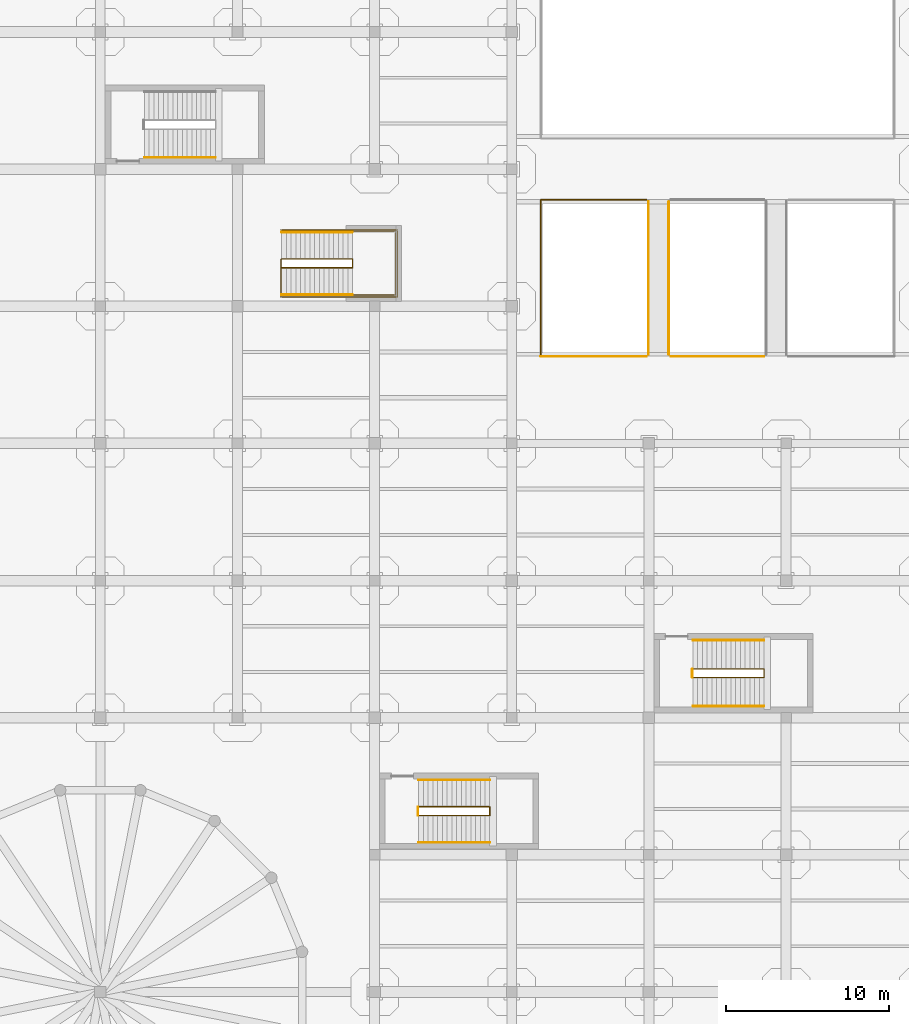
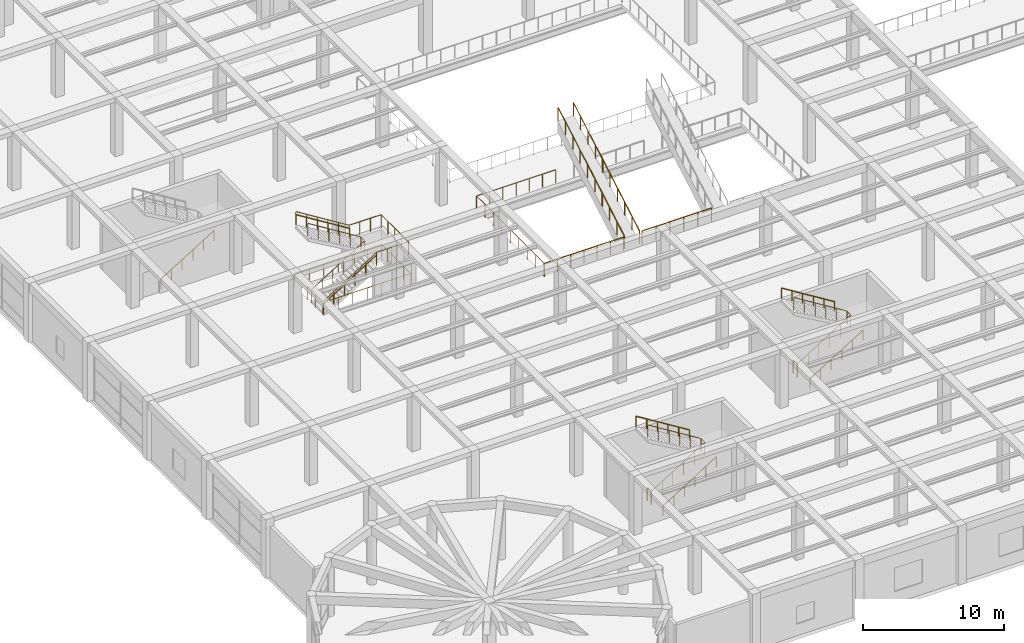
# One storey, part 85 of 95: 19 railings.
"""IFC4 building model written with IfcOpenShell, lengths in metres."""

import ifcopenshell
import ifcopenshell.guid

model = None  # the IFC model being written
_history = None  # IfcOwnerHistory: only IFC2X3 demands one
_inside = {}  # id of a spatial element -> (the spatial element, [elements in it])
_under = {}  # id of a project, library or spatial element -> (it, [spatial elements below it])
_declared = {}  # id of a project -> (the project, [libraries it declares])
_typed = {}  # id of a type object -> (the type object, [elements of that type])
_made_of = {}  # id of a material, layer set ... -> (it, [elements and type objects made of it])


def new_model(schema):
    """Start an empty IFC model of exactly this schema.

    Asked for "IFC4X3", IfcOpenShell would pick the latest addendum, in which some entities
    have other attributes; the version numbers below select the first issue.
    IFC2X3 requires an IfcOwnerHistory on every rooted entity: one is made here for all.
    """
    global model, _history
    if schema == "IFC4X3":
        model = ifcopenshell.file(schema_version=(4, 3, 0, 0))
    else:
        model = ifcopenshell.file(schema=schema)
    _inside.clear()
    _under.clear()
    _declared.clear()
    _typed.clear()
    _made_of.clear()
    _history = None
    if model.schema == "IFC2X3":
        org = make("IfcOrganization", Name="unknown")
        user = make(
            "IfcPersonAndOrganization",
            ThePerson=make("IfcPerson", FamilyName="unknown"),
            TheOrganization=org,
        )
        app = make(
            "IfcApplication",
            ApplicationDeveloper=org,
            Version="unknown",
            ApplicationFullName="unknown",
            ApplicationIdentifier="unknown",
        )
        _history = make(
            "IfcOwnerHistory",
            OwningUser=user,
            OwningApplication=app,
            ChangeAction="ADDED",
            CreationDate=0,
        )
    return model


def make(cls, **values):
    """One entity of the class cls with the attributes given. An attribute that is None is left unset."""
    return model.create_entity(
        cls, **{name: value for name, value in values.items() if value is not None}
    )


def rooted(cls, **values):
    """An entity with a GlobalId (a new one), such as an element, a storey or a relation."""
    return make(cls, GlobalId=ifcopenshell.guid.new(), OwnerHistory=_history, **values)


def si_unit(unit_type, name, prefix=None):
    """IfcSIUnit, for example si_unit("LENGTHUNIT", "METRE", prefix="MILLI")."""
    return make("IfcSIUnit", UnitType=unit_type, Prefix=prefix, Name=name)


def assignment(units):
    """IfcUnitAssignment: the units of a project."""
    return None if units is None else make("IfcUnitAssignment", Units=units)


def point(xyz):
    """IfcCartesianPoint."""
    return None if xyz is None else make("IfcCartesianPoint", Coordinates=xyz)


def direction(xyz):
    """IfcDirection."""
    return None if xyz is None else make("IfcDirection", DirectionRatios=xyz)


def frame(location, z_axis=None, x_axis=None):
    """IfcAxis2Placement3D, a coordinate frame: its origin and axes. An axis left out is left unset."""
    return make(
        "IfcAxis2Placement3D",
        Location=point(location),
        Axis=direction(z_axis),
        RefDirection=direction(x_axis),
    )


def frame_2d(location, x_axis=None):
    """IfcAxis2Placement2D, a coordinate frame in the plane: its origin and x axis."""
    return make(
        "IfcAxis2Placement2D", Location=point(location), RefDirection=direction(x_axis)
    )


def origin():
    """The frame at (0, 0, 0) with its axes left unset."""
    return frame((0.0, 0.0, 0.0))


def origin_2d():
    """The frame at (0, 0) in the plane with its x axis left unset."""
    return frame_2d((0.0, 0.0))


def place(relative_to, where):
    """IfcLocalPlacement: puts the frame where relative to a parent placement (None: the world)."""
    return make(
        "IfcLocalPlacement", PlacementRelTo=relative_to, RelativePlacement=where
    )


def context(
    kind, dimensions, precision=None, world=None, true_north=None, identifier=None
):
    """IfcGeometricRepresentationContext, for example the 3D "Model" context."""
    return make(
        "IfcGeometricRepresentationContext",
        ContextIdentifier=identifier,
        ContextType=kind,
        CoordinateSpaceDimension=dimensions,
        Precision=precision,
        WorldCoordinateSystem=world,
        TrueNorth=true_north,
    )


def subcontext(parent, identifier, kind, view, scale=None):
    """IfcGeometricRepresentationSubContext, for example "Body" below "Model"."""
    return make(
        "IfcGeometricRepresentationSubContext",
        ContextIdentifier=identifier,
        ContextType=kind,
        ParentContext=parent,
        TargetScale=scale,
        TargetView=view,
    )


def project(units=None, contexts=None):
    """IfcProject with its units and contexts."""
    return rooted(
        "IfcProject",
        Name="project",
        RepresentationContexts=contexts,
        UnitsInContext=assignment(units),
    )


def spatial(cls, under=None, at=None, **own):
    """A site, building, storey or space (cls), placed at a placement, below another one or the project."""
    s = rooted(cls, ObjectPlacement=at, **own)
    if under is not None:
        _under.setdefault(under.id(), (under, []))[1].append(s)
    return s


def profile(cls, at=None, kind="AREA", **sizes):
    """A parametric profile (cls). Its sizes go by their IFC names, for example OverallWidth=200.0."""
    return make(cls, ProfileType=kind, Position=at, **sizes)


def circle(**sizes):
    """IfcCircleProfileDef."""
    return profile("IfcCircleProfileDef", **sizes)


def extrude(swept, where, along, depth):
    """IfcExtrudedAreaSolid: the profile swept, set in the frame where, extruded along a direction by depth."""
    return make(
        "IfcExtrudedAreaSolid",
        SweptArea=swept,
        Position=where,
        ExtrudedDirection=direction(along),
        Depth=depth,
    )


def shape(context_of_items, identifier, shape_type, items):
    """IfcShapeRepresentation: the items that make up one representation, for example the "Body"."""
    return make(
        "IfcShapeRepresentation",
        ContextOfItems=context_of_items,
        RepresentationIdentifier=identifier,
        RepresentationType=shape_type,
        Items=items,
    )


def material(Name=None, Category=None):
    """IfcMaterial."""
    return make("IfcMaterial", Name=Name, Category=Category)


def made_of(thing, what):
    """Note that an element or type object is made of a material, layer set ...; save() writes the relation."""
    if what is not None:
        _made_of.setdefault(what.id(), (what, []))[1].append(thing)
    return thing


def type_object(cls, material=None, **own):
    """A type object (cls), such as IfcWallType, which elements share."""
    return made_of(rooted(cls, **own), material)


def element(
    cls,
    number,
    at=None,
    inside=None,
    cuts=None,
    type_object=None,
    material=None,
    context=None,
    identifier="Body",
    shape_type=None,
    held_by="IfcProductDefinitionShape",
    body=None,
    shapes=None,
    **own,
):
    """One element of the class cls, such as IfcWall. Its Tag is "e" and its number.

    at: its placement. inside: the storey or other place that contains it. cuts: it is an
    opening in that element (IfcRelVoidsElement). A single representation is given by context,
    identifier, shape_type and body (its items); several are given by shapes. held_by: the class
    of the entity that holds the representations. save() writes the other relations.
    """
    e = rooted(cls, Tag="e%d" % number, ObjectPlacement=at, **own)
    if body is not None:
        shapes = [shape(context, identifier, shape_type, body)]
    if shapes is not None:
        e.Representation = make(held_by, Representations=shapes)
    if inside is not None:
        _inside.setdefault(inside.id(), (inside, []))[1].append(e)
    if cuts is not None:
        rooted(
            "IfcRelVoidsElement", RelatingBuildingElement=cuts, RelatedOpeningElement=e
        )
    if type_object is not None:
        _typed.setdefault(type_object.id(), (type_object, []))[1].append(e)
    return made_of(e, material)


def aggregate(whole, parts):
    """IfcRelAggregates: a whole, such as a stair, and the parts it consists of."""
    return rooted("IfcRelAggregates", RelatingObject=whole, RelatedObjects=parts)


def save(model, path):
    """Write the relations noted so far, then the file.

    IfcRelAggregates (storeys below a building ...), IfcRelContainedInSpatialStructure (elements
    in a storey), IfcRelDefinesByType, IfcRelAssociatesMaterial and IfcRelDeclares: one each for
    every whole, place, type object, material and project.
    """
    for whole, parts in _under.values():
        aggregate(whole, parts)
    for where, things in _inside.values():
        rooted(
            "IfcRelContainedInSpatialStructure",
            RelatedElements=things,
            RelatingStructure=where,
        )
    for kind, things in _typed.values():
        rooted("IfcRelDefinesByType", RelatedObjects=things, RelatingType=kind)
    for what, things in _made_of.values():
        rooted("IfcRelAssociatesMaterial", RelatedObjects=things, RelatingMaterial=what)
    for by, libraries in _declared.values():
        rooted("IfcRelDeclares", RelatingContext=by, RelatedDefinitions=libraries)
    model.write(path)


model = new_model("IFC4")

# Units and contexts
model_context = context("Model", 3, precision=1e-05, world=origin(), true_north=direction((0.0, 1.0)))
body_context = subcontext(model_context, "Body", "Model", "MODEL_VIEW")
ifc_project = project(units=[si_unit("LENGTHUNIT", "METRE"), si_unit("AREAUNIT", "SQUARE_METRE"), si_unit("VOLUMEUNIT", "CUBIC_METRE"), si_unit("PLANEANGLEUNIT", "RADIAN"), si_unit("MASSUNIT", "GRAM", prefix="KILO")], contexts=[model_context])

# Site, building, storey
site_placement = place(None, origin())
site = spatial("IfcSite", under=ifc_project, at=site_placement, CompositionType="ELEMENT")
building_placement = place(site_placement, origin())
building = spatial("IfcBuilding", under=site, at=building_placement, Name="Almacenes y Pasaje Nevantli", CompositionType="ELEMENT")
storey_placement = place(building_placement, frame((0.0, 0.0, 11.39990234375)))
storey = spatial("IfcBuildingStorey", under=building, at=storey_placement, Name="L03", CompositionType="ELEMENT", Elevation=11.39990234375)

# Railings
ifc_material_1 = material(Name="Brushed Stainless Steel and Tempered Safety Glass", Category="steel")
railing_type_1 = type_object("IfcRailingType", Name="RL-GUARD-1100", PredefinedType="BALUSTRADE", material=ifc_material_1)
railing_1_placement = place(storey_placement, frame((27.89990234375, 19.2099609375, 0.0)))
element("IfcRailing", 1, at=railing_1_placement, inside=storey, type_object=railing_type_1, Name="L03 Stair ST-04 Inner Well Guard Balustrade", PredefinedType="BALUSTRADE", context=body_context, shape_type="SweptSolid", body=[
    extrude(circle(Radius=0.02392578125, at=origin_2d()), frame((0.025390625, 0.0, 1.1416015625), z_axis=(0.849628378081, 0.0, 0.527381853271), x_axis=(0.0, 1.0, 0.0)), (0.0, 0.0, 1.0), 5.06005859375),
    extrude(circle(Radius=0.02392578125, at=origin_2d()), frame((4.35009765625, 0.030029296875, 3.826171875), z_axis=(0.0, 1.0, 0.0), x_axis=(-1.0, 0.0, 0.0)), (0.0, 0.0, 1.0), 0.469970703125),
    extrude(circle(Radius=0.02392578125, at=origin_2d()), frame((4.32470703125, 0.530029296875, 3.841796875), z_axis=(-0.849649743971, 0.0, 0.527347430608), x_axis=(0.0, -1.0, 0.0)), (0.0, 0.0, 1.0), 5.059814453125),
    extrude(circle(Radius=0.02099609375, at=origin_2d()), origin(), (0.0, 0.0, 1.0), 1.096923828125),
    extrude(circle(Radius=0.02099609375, at=origin_2d()), frame((0.8701171875, 0.0, 0.5400390625)), (0.0, 0.0, 1.0), 1.096923828125),
    extrude(circle(Radius=0.02099609375, at=origin_2d()), frame((1.739990234375, 0.0, 1.080078125)), (0.0, 0.0, 1.0), 1.096923828125),
    extrude(circle(Radius=0.02099609375, at=origin_2d()), frame((2.610107421875, 0.0, 1.6201171875)), (0.0, 0.0, 1.0), 1.096923828125),
    extrude(circle(Radius=0.02099609375, at=origin_2d()), frame((3.47998046875, 0.0, 2.16015625)), (0.0, 0.0, 1.0), 1.096923828125),
    extrude(circle(Radius=0.02099609375, at=origin_2d()), frame((4.35009765625, 0.0, 2.7001953125)), (0.0, 0.0, 1.0), 1.096923828125),
    extrude(circle(Radius=0.02099609375, at=origin_2d()), frame((4.35009765625, 0.530029296875, 2.7001953125)), (0.0, 0.0, 1.0), 1.096923828125),
    extrude(circle(Radius=0.02099609375, at=origin_2d()), frame((3.47998046875, 0.530029296875, 3.240234375)), (0.0, 0.0, 1.0), 1.096923828125),
    extrude(circle(Radius=0.02099609375, at=origin_2d()), frame((2.610107421875, 0.530029296875, 3.7802734375)), (0.0, 0.0, 1.0), 1.096923828125),
    extrude(circle(Radius=0.02099609375, at=origin_2d()), frame((1.739990234375, 0.530029296875, 4.320068359375)), (0.0, 0.0, 1.0), 1.096923828125),
    extrude(circle(Radius=0.02099609375, at=origin_2d()), frame((0.8701171875, 0.530029296875, 4.860107421875)), (0.0, 0.0, 1.0), 1.096923828125),
    extrude(circle(Radius=0.02099609375, at=origin_2d()), frame((0.0, 0.530029296875, 5.400146484375)), (0.0, 0.0, 1.0), 1.096923828125),
])
railing_2_placement = place(storey_placement, frame((27.860107421875, 19.2099609375, 0.0)))
element("IfcRailing", 2, at=railing_2_placement, inside=storey, type_object=railing_type_1, Name="L03 Stair ST-04 Landing Well Slot Guard", PredefinedType="BALUSTRADE", context=body_context, shape_type="SweptSolid", body=[
    extrude(circle(Radius=0.02392578125, at=origin_2d()), frame((0.0, 0.030029296875, 1.1259765625), z_axis=(0.0, 1.0, 0.0), x_axis=(-1.0, 0.0, 0.0)), (0.0, 0.0, 1.0), 0.469970703125),
    extrude(circle(Radius=0.02099609375, at=origin_2d()), origin(), (0.0, 0.0, 1.0), 1.096923828125),
    extrude(circle(Radius=0.02099609375, at=origin_2d()), frame((0.0, 0.530029296875, 0.0)), (0.0, 0.0, 1.0), 1.096923828125),
])
railing_3_placement = place(storey_placement, frame((44.699951171875, 27.659912109375, 0.0)))
element("IfcRailing", 3, at=railing_3_placement, inside=storey, type_object=railing_type_1, Name="L03 Stair ST-14 Inner Well Guard Balustrade", PredefinedType="BALUSTRADE", context=body_context, shape_type="SweptSolid", body=[
    extrude(circle(Radius=0.02392578125, at=origin_2d()), frame((0.025390625, 0.0, 1.1416015625), z_axis=(0.849628378081, 0.0, 0.527381853271), x_axis=(0.0, 1.0, 0.0)), (0.0, 0.0, 1.0), 5.06005859375),
    extrude(circle(Radius=0.02392578125, at=origin_2d()), frame((4.35009765625, 0.030029296875, 3.826171875), z_axis=(0.0, 1.0, 0.0), x_axis=(-1.0, 0.0, 0.0)), (0.0, 0.0, 1.0), 0.469970703125),
    extrude(circle(Radius=0.02392578125, at=origin_2d()), frame((4.32470703125, 0.530029296875, 3.841796875), z_axis=(-0.849649743971, 0.0, 0.527347430608), x_axis=(0.0, -1.0, 0.0)), (0.0, 0.0, 1.0), 5.059814453125),
    extrude(circle(Radius=0.02099609375, at=origin_2d()), origin(), (0.0, 0.0, 1.0), 1.096923828125),
    extrude(circle(Radius=0.02099609375, at=origin_2d()), frame((0.8701171875, 0.0, 0.5400390625)), (0.0, 0.0, 1.0), 1.096923828125),
    extrude(circle(Radius=0.02099609375, at=origin_2d()), frame((1.739990234375, 0.0, 1.080078125)), (0.0, 0.0, 1.0), 1.096923828125),
    extrude(circle(Radius=0.02099609375, at=origin_2d()), frame((2.610107421875, 0.0, 1.6201171875)), (0.0, 0.0, 1.0), 1.096923828125),
    extrude(circle(Radius=0.02099609375, at=origin_2d()), frame((3.47998046875, 0.0, 2.16015625)), (0.0, 0.0, 1.0), 1.096923828125),
    extrude(circle(Radius=0.02099609375, at=origin_2d()), frame((4.35009765625, 0.0, 2.7001953125)), (0.0, 0.0, 1.0), 1.096923828125),
    extrude(circle(Radius=0.02099609375, at=origin_2d()), frame((4.35009765625, 0.530029296875, 2.7001953125)), (0.0, 0.0, 1.0), 1.096923828125),
    extrude(circle(Radius=0.02099609375, at=origin_2d()), frame((3.47998046875, 0.530029296875, 3.240234375)), (0.0, 0.0, 1.0), 1.096923828125),
    extrude(circle(Radius=0.02099609375, at=origin_2d()), frame((2.610107421875, 0.530029296875, 3.7802734375)), (0.0, 0.0, 1.0), 1.096923828125),
    extrude(circle(Radius=0.02099609375, at=origin_2d()), frame((1.739990234375, 0.530029296875, 4.320068359375)), (0.0, 0.0, 1.0), 1.096923828125),
    extrude(circle(Radius=0.02099609375, at=origin_2d()), frame((0.8701171875, 0.530029296875, 4.860107421875)), (0.0, 0.0, 1.0), 1.096923828125),
    extrude(circle(Radius=0.02099609375, at=origin_2d()), frame((0.0, 0.530029296875, 5.400146484375)), (0.0, 0.0, 1.0), 1.096923828125),
])
railing_4_placement = place(storey_placement, frame((44.659912109375, 27.659912109375, 0.0)))
element("IfcRailing", 4, at=railing_4_placement, inside=storey, type_object=railing_type_1, Name="L03 Stair ST-14 Landing Well Slot Guard", PredefinedType="BALUSTRADE", context=body_context, shape_type="SweptSolid", body=[
    extrude(circle(Radius=0.02392578125, at=origin_2d()), frame((0.0, 0.030029296875, 1.1259765625), z_axis=(0.0, 1.0, 0.0), x_axis=(-1.0, 0.0, 0.0)), (0.0, 0.0, 1.0), 0.469970703125),
    extrude(circle(Radius=0.02099609375, at=origin_2d()), origin(), (0.0, 0.0, 1.0), 1.096923828125),
    extrude(circle(Radius=0.02099609375, at=origin_2d()), frame((0.0, 0.530029296875, 0.0)), (0.0, 0.0, 1.0), 1.096923828125),
])
railing_5_placement = place(storey_placement, frame((19.4599609375, 53.2900390625, 0.0)))
element("IfcRailing", 5, at=railing_5_placement, inside=storey, type_object=railing_type_1, Name="L03 Monumental Stair ST-10 Top Floor Opening Guard", PredefinedType="BALUSTRADE", context=body_context, shape_type="SweptSolid", body=[
    extrude(circle(Radius=0.02392578125, at=origin_2d()), frame((0.0, -0.030029296875, 1.1259765625), z_axis=(0.0, -1.0, 0.0), x_axis=(1.0, 0.0, 0.0)), (0.0, 0.0, 1.0), 2.260009765625),
    extrude(circle(Radius=0.02392578125, at=origin_2d()), frame((0.030029296875, -2.320068359375, 1.1259765625), z_axis=(1.0, 0.0, 0.0), x_axis=(0.0, 1.0, 0.0)), (0.0, 0.0, 1.0), 7.06005859375),
    extrude(circle(Radius=0.02392578125, at=origin_2d()), frame((7.1201171875, -2.2900390625, 1.1259765625), z_axis=(0.0, 1.0, 0.0), x_axis=(-1.0, 0.0, 0.0)), (0.0, 0.0, 1.0), 4.050048828125),
    extrude(circle(Radius=0.02392578125, at=origin_2d()), frame((7.090087890625, 1.7900390625, 1.1259765625), z_axis=(-1.0, 0.0, 0.0), x_axis=(0.0, -1.0, 0.0)), (0.0, 0.0, 1.0), 7.06005859375),
    extrude(circle(Radius=0.02099609375, at=origin_2d()), origin(), (0.0, 0.0, 1.0), 1.096923828125),
    extrude(circle(Radius=0.02099609375, at=origin_2d()), frame((0.0, -1.16015625, 0.0)), (0.0, 0.0, 1.0), 1.096923828125),
    extrude(circle(Radius=0.02099609375, at=origin_2d()), frame((0.0, -2.320068359375, 0.0)), (0.0, 0.0, 1.0), 1.096923828125),
    extrude(circle(Radius=0.02099609375, at=origin_2d()), frame((1.186767578125, -2.320068359375, 0.0)), (0.0, 0.0, 1.0), 1.096923828125),
    extrude(circle(Radius=0.02099609375, at=origin_2d()), frame((2.373291015625, -2.320068359375, 0.0)), (0.0, 0.0, 1.0), 1.096923828125),
    extrude(circle(Radius=0.02099609375, at=origin_2d()), frame((3.56005859375, -2.320068359375, 0.0)), (0.0, 0.0, 1.0), 1.096923828125),
    extrude(circle(Radius=0.02099609375, at=origin_2d()), frame((4.746826171875, -2.320068359375, 0.0)), (0.0, 0.0, 1.0), 1.096923828125),
    extrude(circle(Radius=0.02099609375, at=origin_2d()), frame((5.933349609375, -2.320068359375, 0.0)), (0.0, 0.0, 1.0), 1.096923828125),
    extrude(circle(Radius=0.02099609375, at=origin_2d()), frame((7.1201171875, -2.320068359375, 0.0)), (0.0, 0.0, 1.0), 1.096923828125),
    extrude(circle(Radius=0.02099609375, at=origin_2d()), frame((7.1201171875, -1.29248046875, 0.0)), (0.0, 0.0, 1.0), 1.096923828125),
    extrude(circle(Radius=0.02099609375, at=origin_2d()), frame((7.1201171875, -0.26513671875, 0.0)), (0.0, 0.0, 1.0), 1.096923828125),
    extrude(circle(Radius=0.02099609375, at=origin_2d()), frame((7.1201171875, 0.762451171875, 0.0)), (0.0, 0.0, 1.0), 1.096923828125),
    extrude(circle(Radius=0.02099609375, at=origin_2d()), frame((7.1201171875, 1.7900390625, 0.0)), (0.0, 0.0, 1.0), 1.096923828125),
    extrude(circle(Radius=0.02099609375, at=origin_2d()), frame((5.933349609375, 1.7900390625, 0.0)), (0.0, 0.0, 1.0), 1.096923828125),
    extrude(circle(Radius=0.02099609375, at=origin_2d()), frame((4.746826171875, 1.7900390625, 0.0)), (0.0, 0.0, 1.0), 1.096923828125),
    extrude(circle(Radius=0.02099609375, at=origin_2d()), frame((3.56005859375, 1.7900390625, 0.0)), (0.0, 0.0, 1.0), 1.096923828125),
    extrude(circle(Radius=0.02099609375, at=origin_2d()), frame((2.373291015625, 1.7900390625, 0.0)), (0.0, 0.0, 1.0), 1.096923828125),
    extrude(circle(Radius=0.02099609375, at=origin_2d()), frame((1.186767578125, 1.7900390625, 0.0)), (0.0, 0.0, 1.0), 1.096923828125),
    extrude(circle(Radius=0.02099609375, at=origin_2d()), frame((0.0, 1.7900390625, 0.0)), (0.0, 0.0, 1.0), 1.096923828125),
])
railing_6_placement = place(storey_placement, frame((19.5, 52.760009765625, 0.0)))
element("IfcRailing", 6, at=railing_6_placement, inside=storey, type_object=railing_type_1, Name="L03 Stair ST-11 Inner Well Guard Balustrade", PredefinedType="BALUSTRADE", context=body_context, shape_type="SweptSolid", body=[
    extrude(circle(Radius=0.02392578125, at=origin_2d()), frame((0.025390625, 0.0, 1.1416015625), z_axis=(0.849628378081, 0.0, 0.527381853271), x_axis=(0.0, 1.0, 0.0)), (0.0, 0.0, 1.0), 5.06005859375),
    extrude(circle(Radius=0.02392578125, at=origin_2d()), frame((4.35009765625, 0.030029296875, 3.826171875), z_axis=(0.0, 1.0, 0.0), x_axis=(-1.0, 0.0, 0.0)), (0.0, 0.0, 1.0), 0.469970703125),
    extrude(circle(Radius=0.02392578125, at=origin_2d()), frame((4.32470703125, 0.530029296875, 3.841796875), z_axis=(-0.849649743971, 0.0, 0.527347430608), x_axis=(0.0, -1.0, 0.0)), (0.0, 0.0, 1.0), 5.059814453125),
    extrude(circle(Radius=0.02099609375, at=origin_2d()), origin(), (0.0, 0.0, 1.0), 1.096923828125),
    extrude(circle(Radius=0.02099609375, at=origin_2d()), frame((0.8701171875, 0.0, 0.5400390625)), (0.0, 0.0, 1.0), 1.096923828125),
    extrude(circle(Radius=0.02099609375, at=origin_2d()), frame((1.739990234375, 0.0, 1.080078125)), (0.0, 0.0, 1.0), 1.096923828125),
    extrude(circle(Radius=0.02099609375, at=origin_2d()), frame((2.610107421875, 0.0, 1.6201171875)), (0.0, 0.0, 1.0), 1.096923828125),
    extrude(circle(Radius=0.02099609375, at=origin_2d()), frame((3.47998046875, 0.0, 2.16015625)), (0.0, 0.0, 1.0), 1.096923828125),
    extrude(circle(Radius=0.02099609375, at=origin_2d()), frame((4.35009765625, 0.0, 2.7001953125)), (0.0, 0.0, 1.0), 1.096923828125),
    extrude(circle(Radius=0.02099609375, at=origin_2d()), frame((4.35009765625, 0.530029296875, 2.7001953125)), (0.0, 0.0, 1.0), 1.096923828125),
    extrude(circle(Radius=0.02099609375, at=origin_2d()), frame((3.47998046875, 0.530029296875, 3.240234375)), (0.0, 0.0, 1.0), 1.096923828125),
    extrude(circle(Radius=0.02099609375, at=origin_2d()), frame((2.610107421875, 0.530029296875, 3.7802734375)), (0.0, 0.0, 1.0), 1.096923828125),
    extrude(circle(Radius=0.02099609375, at=origin_2d()), frame((1.739990234375, 0.530029296875, 4.320068359375)), (0.0, 0.0, 1.0), 1.096923828125),
    extrude(circle(Radius=0.02099609375, at=origin_2d()), frame((0.8701171875, 0.530029296875, 4.860107421875)), (0.0, 0.0, 1.0), 1.096923828125),
    extrude(circle(Radius=0.02099609375, at=origin_2d()), frame((0.0, 0.530029296875, 5.400146484375)), (0.0, 0.0, 1.0), 1.096923828125),
])
railing_7_placement = place(storey_placement, frame((19.5, 51.090087890625, 0.0)))
element("IfcRailing", 7, at=railing_7_placement, inside=storey, type_object=railing_type_1, Name="L03 Monumental Stair ST-11 Outer Balustrade", PredefinedType="BALUSTRADE", context=body_context, shape_type="SweptSolid", body=[
    extrude(circle(Radius=0.02392578125, at=origin_2d()), frame((0.025390625, 0.0, 1.1416015625), z_axis=(0.849628378081, 0.0, 0.527381853271), x_axis=(0.0, 1.0, 0.0)), (0.0, 0.0, 1.0), 5.06005859375),
    extrude(circle(Radius=0.02392578125, at=origin_2d()), frame((4.380126953125, 0.0, 3.826171875), z_axis=(1.0, 0.0, 0.0), x_axis=(0.0, 1.0, 0.0)), (0.0, 0.0, 1.0), 2.5498046875),
    extrude(circle(Radius=0.02392578125, at=origin_2d()), frame((6.9599609375, 0.030029296875, 3.826171875), z_axis=(0.0, 1.0, 0.0), x_axis=(-1.0, 0.0, 0.0)), (0.0, 0.0, 1.0), 3.809814453125),
    extrude(circle(Radius=0.02392578125, at=origin_2d()), frame((6.929931640625, 3.869873046875, 3.826171875), z_axis=(-1.0, 0.0, 0.0), x_axis=(0.0, -1.0, 0.0)), (0.0, 0.0, 1.0), 2.5498046875),
    extrude(circle(Radius=0.02392578125, at=origin_2d()), frame((4.32470703125, 3.869873046875, 3.841796875), z_axis=(-0.849649743971, 0.0, 0.527347430608), x_axis=(0.0, -1.0, 0.0)), (0.0, 0.0, 1.0), 5.059814453125),
    extrude(circle(Radius=0.02099609375, at=origin_2d()), origin(), (0.0, 0.0, 1.0), 1.096923828125),
    extrude(circle(Radius=0.02099609375, at=origin_2d()), frame((0.8701171875, 0.0, 0.5400390625)), (0.0, 0.0, 1.0), 1.096923828125),
    extrude(circle(Radius=0.02099609375, at=origin_2d()), frame((1.739990234375, 0.0, 1.080078125)), (0.0, 0.0, 1.0), 1.096923828125),
    extrude(circle(Radius=0.02099609375, at=origin_2d()), frame((2.610107421875, 0.0, 1.6201171875)), (0.0, 0.0, 1.0), 1.096923828125),
    extrude(circle(Radius=0.02099609375, at=origin_2d()), frame((3.47998046875, 0.0, 2.16015625)), (0.0, 0.0, 1.0), 1.096923828125),
    extrude(circle(Radius=0.02099609375, at=origin_2d()), frame((4.35009765625, 0.0, 2.7001953125)), (0.0, 0.0, 1.0), 1.096923828125),
    extrude(circle(Radius=0.02099609375, at=origin_2d()), frame((5.219970703125, 0.0, 2.7001953125)), (0.0, 0.0, 1.0), 1.096923828125),
    extrude(circle(Radius=0.02099609375, at=origin_2d()), frame((6.090087890625, 0.0, 2.7001953125)), (0.0, 0.0, 1.0), 1.096923828125),
    extrude(circle(Radius=0.02099609375, at=origin_2d()), frame((6.9599609375, 0.0, 2.7001953125)), (0.0, 0.0, 1.0), 1.096923828125),
    extrude(circle(Radius=0.02099609375, at=origin_2d()), frame((6.9599609375, 0.967529296875, 2.7001953125)), (0.0, 0.0, 1.0), 1.096923828125),
    extrude(circle(Radius=0.02099609375, at=origin_2d()), frame((6.9599609375, 1.93505859375, 2.7001953125)), (0.0, 0.0, 1.0), 1.096923828125),
    extrude(circle(Radius=0.02099609375, at=origin_2d()), frame((6.9599609375, 2.90234375, 2.7001953125)), (0.0, 0.0, 1.0), 1.096923828125),
    extrude(circle(Radius=0.02099609375, at=origin_2d()), frame((6.9599609375, 3.869873046875, 2.7001953125)), (0.0, 0.0, 1.0), 1.096923828125),
    extrude(circle(Radius=0.02099609375, at=origin_2d()), frame((6.090087890625, 3.869873046875, 2.7001953125)), (0.0, 0.0, 1.0), 1.096923828125),
    extrude(circle(Radius=0.02099609375, at=origin_2d()), frame((5.219970703125, 3.869873046875, 2.7001953125)), (0.0, 0.0, 1.0), 1.096923828125),
    extrude(circle(Radius=0.02099609375, at=origin_2d()), frame((4.35009765625, 3.869873046875, 2.7001953125)), (0.0, 0.0, 1.0), 1.096923828125),
    extrude(circle(Radius=0.02099609375, at=origin_2d()), frame((3.47998046875, 3.869873046875, 3.240234375)), (0.0, 0.0, 1.0), 1.096923828125),
    extrude(circle(Radius=0.02099609375, at=origin_2d()), frame((2.610107421875, 3.869873046875, 3.7802734375)), (0.0, 0.0, 1.0), 1.096923828125),
    extrude(circle(Radius=0.02099609375, at=origin_2d()), frame((1.739990234375, 3.869873046875, 4.320068359375)), (0.0, 0.0, 1.0), 1.096923828125),
    extrude(circle(Radius=0.02099609375, at=origin_2d()), frame((0.8701171875, 3.869873046875, 4.860107421875)), (0.0, 0.0, 1.0), 1.096923828125),
    extrude(circle(Radius=0.02099609375, at=origin_2d()), frame((0.0, 3.869873046875, 5.400146484375)), (0.0, 0.0, 1.0), 1.096923828125),
])
for number, where, name in (
    (8, (41.97998046875, 47.449951171875, 0.0), "Atrium Escalator ESC-05 W Balustrade"),
    (9, (43.219970703125, 47.449951171875, 0.0), "Atrium Escalator ESC-05 E Balustrade"),
):
    element("IfcRailing", number, at=place(storey_placement, frame(where)), inside=storey, type_object=railing_type_1, Name=name, PredefinedType="BALUSTRADE", context=body_context, shape_type="SweptSolid", body=[
        extrude(circle(Radius=0.02392578125, at=origin_2d()), frame((0.0, 0.02587890625, 1.140869140625), z_axis=(0.0, 0.865950598439, 0.500129544281), x_axis=(-1.0, 0.0, 0.0)), (0.0, 0.0, 1.0), 10.737548828125),
        extrude(circle(Radius=0.02099609375, at=origin_2d()), origin(), (0.0, 0.0, 1.0), 1.096923828125),
        extrude(circle(Radius=0.02099609375, at=origin_2d()), frame((0.0, 1.038818359375, 0.60009765625)), (0.0, 0.0, 1.0), 1.096923828125),
        extrude(circle(Radius=0.02099609375, at=origin_2d()), frame((0.0, 2.077880859375, 1.199951171875)), (0.0, 0.0, 1.0), 1.096923828125),
        extrude(circle(Radius=0.02099609375, at=origin_2d()), frame((0.0, 3.11669921875, 1.800048828125)), (0.0, 0.0, 1.0), 1.096923828125),
        extrude(circle(Radius=0.02099609375, at=origin_2d()), frame((0.0, 4.155517578125, 2.400146484375)), (0.0, 0.0, 1.0), 1.096923828125),
        extrude(circle(Radius=0.02099609375, at=origin_2d()), frame((0.0, 5.194580078125, 3.0)), (0.0, 0.0, 1.0), 1.096923828125),
        extrude(circle(Radius=0.02099609375, at=origin_2d()), frame((0.0, 6.2333984375, 3.60009765625)), (0.0, 0.0, 1.0), 1.096923828125),
        extrude(circle(Radius=0.02099609375, at=origin_2d()), frame((0.0, 7.272216796875, 4.2001953125)), (0.0, 0.0, 1.0), 1.096923828125),
        extrude(circle(Radius=0.02099609375, at=origin_2d()), frame((0.0, 8.311279296875, 4.800048828125)), (0.0, 0.0, 1.0), 1.096923828125),
        extrude(circle(Radius=0.02099609375, at=origin_2d()), frame((0.0, 9.35009765625, 5.400146484375)), (0.0, 0.0, 1.0), 1.096923828125),
    ])
railing_8_placement = place(storey_placement, frame((41.85009765625, 56.919921875, 0.0)))
element("IfcRailing", 10, at=railing_8_placement, inside=storey, type_object=railing_type_1, Name="L03 South Atrium Void West Guard Balustrade", PredefinedType="BALUSTRADE", context=body_context, shape_type="SweptSolid", body=[
    extrude(circle(Radius=0.02392578125, at=origin_2d()), frame((-0.030029296875, 0.0, 1.1259765625), z_axis=(-1.0, 0.0, 0.0), x_axis=(0.0, -1.0, 0.0)), (0.0, 0.0, 1.0), 6.41015625),
    extrude(circle(Radius=0.02392578125, at=origin_2d()), frame((-6.47021484375, -0.030029296875, 1.1259765625), z_axis=(0.0, -1.0, 0.0), x_axis=(1.0, 0.0, 0.0)), (0.0, 0.0, 1.0), 9.52978515625),
    extrude(circle(Radius=0.02099609375, at=origin_2d()), origin(), (0.0, 0.0, 1.0), 1.096923828125),
    extrude(circle(Radius=0.02099609375, at=origin_2d()), frame((-1.078369140625, 0.0, 0.0)), (0.0, 0.0, 1.0), 1.096923828125),
    extrude(circle(Radius=0.02099609375, at=origin_2d()), frame((-2.15673828125, 0.0, 0.0)), (0.0, 0.0, 1.0), 1.096923828125),
    extrude(circle(Radius=0.02099609375, at=origin_2d()), frame((-3.235107421875, 0.0, 0.0)), (0.0, 0.0, 1.0), 1.096923828125),
    extrude(circle(Radius=0.02099609375, at=origin_2d()), frame((-4.3134765625, 0.0, 0.0)), (0.0, 0.0, 1.0), 1.096923828125),
    extrude(circle(Radius=0.02099609375, at=origin_2d()), frame((-5.391845703125, 0.0, 0.0)), (0.0, 0.0, 1.0), 1.096923828125),
    extrude(circle(Radius=0.02099609375, at=origin_2d()), frame((-6.47021484375, 0.0, 0.0)), (0.0, 0.0, 1.0), 1.096923828125),
    extrude(circle(Radius=0.02099609375, at=origin_2d()), frame((-6.47021484375, -1.19873046875, 0.0)), (0.0, 0.0, 1.0), 1.096923828125),
    extrude(circle(Radius=0.02099609375, at=origin_2d()), frame((-6.47021484375, -2.3974609375, 0.0)), (0.0, 0.0, 1.0), 1.096923828125),
    extrude(circle(Radius=0.02099609375, at=origin_2d()), frame((-6.47021484375, -3.59619140625, 0.0)), (0.0, 0.0, 1.0), 1.096923828125),
    extrude(circle(Radius=0.02099609375, at=origin_2d()), frame((-6.47021484375, -4.794921875, 0.0)), (0.0, 0.0, 1.0), 1.096923828125),
    extrude(circle(Radius=0.02099609375, at=origin_2d()), frame((-6.47021484375, -5.99365234375, 0.0)), (0.0, 0.0, 1.0), 1.096923828125),
    extrude(circle(Radius=0.02099609375, at=origin_2d()), frame((-6.47021484375, -7.1923828125, 0.0)), (0.0, 0.0, 1.0), 1.096923828125),
    extrude(circle(Radius=0.02099609375, at=origin_2d()), frame((-6.47021484375, -8.39111328125, 0.0)), (0.0, 0.0, 1.0), 1.096923828125),
    extrude(circle(Radius=0.02099609375, at=origin_2d()), frame((-6.47021484375, -9.58984375, 0.0)), (0.0, 0.0, 1.0), 1.096923828125),
])
railing_9_placement = place(storey_placement, frame((35.3798828125, 47.330078125, 0.0)))
element("IfcRailing", 11, at=railing_9_placement, inside=storey, type_object=railing_type_1, Name="L03 South Atrium South-West Guard", PredefinedType="BALUSTRADE", context=body_context, shape_type="SweptSolid", body=[
    extrude(circle(Radius=0.02392578125, at=origin_2d()), frame((0.030029296875, 0.0, 1.1259765625), z_axis=(1.0, 0.0, 0.0), x_axis=(0.0, 1.0, 0.0)), (0.0, 0.0, 1.0), 6.41015625),
    extrude(circle(Radius=0.02099609375, at=origin_2d()), origin(), (0.0, 0.0, 1.0), 1.096923828125),
    extrude(circle(Radius=0.02099609375, at=origin_2d()), frame((1.078369140625, 0.0, 0.0)), (0.0, 0.0, 1.0), 1.096923828125),
    extrude(circle(Radius=0.02099609375, at=origin_2d()), frame((2.15673828125, 0.0, 0.0)), (0.0, 0.0, 1.0), 1.096923828125),
    extrude(circle(Radius=0.02099609375, at=origin_2d()), frame((3.235107421875, 0.0, 0.0)), (0.0, 0.0, 1.0), 1.096923828125),
    extrude(circle(Radius=0.02099609375, at=origin_2d()), frame((4.3134765625, 0.0, 0.0)), (0.0, 0.0, 1.0), 1.096923828125),
    extrude(circle(Radius=0.02099609375, at=origin_2d()), frame((5.391845703125, 0.0, 0.0)), (0.0, 0.0, 1.0), 1.096923828125),
    extrude(circle(Radius=0.02099609375, at=origin_2d()), frame((6.47021484375, 0.0, 0.0)), (0.0, 0.0, 1.0), 1.096923828125),
])
railing_10_placement = place(storey_placement, frame((43.35009765625, 47.330078125, 0.0)))
element("IfcRailing", 12, at=railing_10_placement, inside=storey, type_object=railing_type_1, Name="L03 South Atrium South-Mid Guard", PredefinedType="BALUSTRADE", context=body_context, shape_type="SweptSolid", body=[
    extrude(circle(Radius=0.02392578125, at=origin_2d()), frame((0.030029296875, 0.0, 1.1259765625), z_axis=(1.0, 0.0, 0.0), x_axis=(0.0, 1.0, 0.0)), (0.0, 0.0, 1.0), 5.639892578125),
    extrude(circle(Radius=0.02099609375, at=origin_2d()), origin(), (0.0, 0.0, 1.0), 1.096923828125),
    extrude(circle(Radius=0.02099609375, at=origin_2d()), frame((1.139892578125, 0.0, 0.0)), (0.0, 0.0, 1.0), 1.096923828125),
    extrude(circle(Radius=0.02099609375, at=origin_2d()), frame((2.280029296875, 0.0, 0.0)), (0.0, 0.0, 1.0), 1.096923828125),
    extrude(circle(Radius=0.02099609375, at=origin_2d()), frame((3.419921875, 0.0, 0.0)), (0.0, 0.0, 1.0), 1.096923828125),
    extrude(circle(Radius=0.02099609375, at=origin_2d()), frame((4.56005859375, 0.0, 0.0)), (0.0, 0.0, 1.0), 1.096923828125),
    extrude(circle(Radius=0.02099609375, at=origin_2d()), frame((5.699951171875, 0.0, 0.0)), (0.0, 0.0, 1.0), 1.096923828125),
])
ifc_material_2 = material(Name="Brushed Stainless Steel Tube", Category="steel")
railing_type_2 = type_object("IfcRailingType", Name="RL-HANDRAIL-900", PredefinedType="HANDRAIL", material=ifc_material_2)
railing_11_placement = place(storey_placement, frame((27.89990234375, 17.56005859375, 0.0)))
element("IfcRailing", 13, at=railing_11_placement, inside=storey, type_object=railing_type_2, Name="L03 Stair ST-04 Lower Flight Handrail", PredefinedType="HANDRAIL", context=body_context, shape_type="SweptSolid", body=[
    extrude(circle(Radius=0.02392578125, at=origin_2d()), frame((0.025390625, 0.0, 0.8916015625), z_axis=(0.849628378081, 0.0, 0.527381853271), x_axis=(0.0, 1.0, 0.0)), (0.0, 0.0, 1.0), 5.06005859375),
    extrude(circle(Radius=0.02099609375, at=origin_2d()), origin(), (0.0, 0.0, 1.0), 0.846923828125),
    extrude(circle(Radius=0.02099609375, at=origin_2d()), frame((0.8701171875, 0.0, 0.5400390625)), (0.0, 0.0, 1.0), 0.846923828125),
    extrude(circle(Radius=0.02099609375, at=origin_2d()), frame((1.739990234375, 0.0, 1.080078125)), (0.0, 0.0, 1.0), 0.846923828125),
    extrude(circle(Radius=0.02099609375, at=origin_2d()), frame((2.610107421875, 0.0, 1.6201171875)), (0.0, 0.0, 1.0), 0.846923828125),
    extrude(circle(Radius=0.02099609375, at=origin_2d()), frame((3.47998046875, 0.0, 2.16015625)), (0.0, 0.0, 1.0), 0.846923828125),
    extrude(circle(Radius=0.02099609375, at=origin_2d()), frame((4.35009765625, 0.0, 2.7001953125)), (0.0, 0.0, 1.0), 0.846923828125),
])
railing_12_placement = place(storey_placement, frame((32.25, 21.389892578125, 2.7001953125)))
element("IfcRailing", 14, at=railing_12_placement, inside=storey, type_object=railing_type_2, Name="L03 Stair ST-04 Upper Flight Handrail", PredefinedType="HANDRAIL", context=body_context, shape_type="SweptSolid", body=[
    extrude(circle(Radius=0.02392578125, at=origin_2d()), frame((-0.025390625, 0.0, 0.8916015625), z_axis=(-0.849649743971, 0.0, 0.527347430608), x_axis=(0.0, -1.0, 0.0)), (0.0, 0.0, 1.0), 5.059814453125),
    extrude(circle(Radius=0.02099609375, at=origin_2d()), origin(), (0.0, 0.0, 1.0), 0.846923828125),
    extrude(circle(Radius=0.02099609375, at=origin_2d()), frame((-0.8701171875, 0.0, 0.5400390625)), (0.0, 0.0, 1.0), 0.846923828125),
    extrude(circle(Radius=0.02099609375, at=origin_2d()), frame((-1.739990234375, 0.0, 1.080078125)), (0.0, 0.0, 1.0), 0.846923828125),
    extrude(circle(Radius=0.02099609375, at=origin_2d()), frame((-2.610107421875, 0.0, 1.619873046875)), (0.0, 0.0, 1.0), 0.846923828125),
    extrude(circle(Radius=0.02099609375, at=origin_2d()), frame((-3.47998046875, 0.0, 2.159912109375)), (0.0, 0.0, 1.0), 0.846923828125),
    extrude(circle(Radius=0.02099609375, at=origin_2d()), frame((-4.35009765625, 0.0, 2.699951171875)), (0.0, 0.0, 1.0), 0.846923828125),
])
railing_13_placement = place(storey_placement, frame((11.10009765625, 59.510009765625, 0.0)))
element("IfcRailing", 15, at=railing_13_placement, inside=storey, type_object=railing_type_2, Name="L03 Stair ST-12 Lower Flight Handrail", PredefinedType="HANDRAIL", context=body_context, shape_type="SweptSolid", body=[
    extrude(circle(Radius=0.02392578125, at=origin_2d()), frame((0.025390625, 0.0, 0.8916015625), z_axis=(0.849615114927, 0.0, 0.52740322002), x_axis=(0.0, 1.0, 0.0)), (0.0, 0.0, 1.0), 5.059814453125),
    extrude(circle(Radius=0.02099609375, at=origin_2d()), origin(), (0.0, 0.0, 1.0), 0.846923828125),
    extrude(circle(Radius=0.02099609375, at=origin_2d()), frame((0.869873046875, 0.0, 0.5400390625)), (0.0, 0.0, 1.0), 0.846923828125),
    extrude(circle(Radius=0.02099609375, at=origin_2d()), frame((1.739990234375, 0.0, 1.080078125)), (0.0, 0.0, 1.0), 0.846923828125),
    extrude(circle(Radius=0.02099609375, at=origin_2d()), frame((2.60986328125, 0.0, 1.6201171875)), (0.0, 0.0, 1.0), 0.846923828125),
    extrude(circle(Radius=0.02099609375, at=origin_2d()), frame((3.47998046875, 0.0, 2.16015625)), (0.0, 0.0, 1.0), 0.846923828125),
    extrude(circle(Radius=0.02099609375, at=origin_2d()), frame((4.349853515625, 0.0, 2.7001953125)), (0.0, 0.0, 1.0), 0.846923828125),
])
railing_14_placement = place(storey_placement, frame((44.699951171875, 25.909912109375, 0.0)))
element("IfcRailing", 16, at=railing_14_placement, inside=storey, type_object=railing_type_2, Name="L03 Stair ST-14 Lower Flight Handrail", PredefinedType="HANDRAIL", context=body_context, shape_type="SweptSolid", body=[
    extrude(circle(Radius=0.02392578125, at=origin_2d()), frame((0.025390625, 0.0, 0.8916015625), z_axis=(0.849628378081, 0.0, 0.527381853271), x_axis=(0.0, 1.0, 0.0)), (0.0, 0.0, 1.0), 5.06005859375),
    extrude(circle(Radius=0.02099609375, at=origin_2d()), origin(), (0.0, 0.0, 1.0), 0.846923828125),
    extrude(circle(Radius=0.02099609375, at=origin_2d()), frame((0.8701171875, 0.0, 0.5400390625)), (0.0, 0.0, 1.0), 0.846923828125),
    extrude(circle(Radius=0.02099609375, at=origin_2d()), frame((1.739990234375, 0.0, 1.080078125)), (0.0, 0.0, 1.0), 0.846923828125),
    extrude(circle(Radius=0.02099609375, at=origin_2d()), frame((2.610107421875, 0.0, 1.6201171875)), (0.0, 0.0, 1.0), 0.846923828125),
    extrude(circle(Radius=0.02099609375, at=origin_2d()), frame((3.47998046875, 0.0, 2.16015625)), (0.0, 0.0, 1.0), 0.846923828125),
    extrude(circle(Radius=0.02099609375, at=origin_2d()), frame((4.35009765625, 0.0, 2.7001953125)), (0.0, 0.0, 1.0), 0.846923828125),
])
railing_15_placement = place(storey_placement, frame((49.050048828125, 29.93994140625, 2.7001953125)))
element("IfcRailing", 17, at=railing_15_placement, inside=storey, type_object=railing_type_2, Name="L03 Stair ST-14 Upper Flight Handrail", PredefinedType="HANDRAIL", context=body_context, shape_type="SweptSolid", body=[
    extrude(circle(Radius=0.02392578125, at=origin_2d()), frame((-0.025390625, 0.0, 0.8916015625), z_axis=(-0.849649743971, 0.0, 0.527347430608), x_axis=(0.0, -1.0, 0.0)), (0.0, 0.0, 1.0), 5.059814453125),
    extrude(circle(Radius=0.02099609375, at=origin_2d()), origin(), (0.0, 0.0, 1.0), 0.846923828125),
    extrude(circle(Radius=0.02099609375, at=origin_2d()), frame((-0.8701171875, 0.0, 0.5400390625)), (0.0, 0.0, 1.0), 0.846923828125),
    extrude(circle(Radius=0.02099609375, at=origin_2d()), frame((-1.739990234375, 0.0, 1.080078125)), (0.0, 0.0, 1.0), 0.846923828125),
    extrude(circle(Radius=0.02099609375, at=origin_2d()), frame((-2.610107421875, 0.0, 1.619873046875)), (0.0, 0.0, 1.0), 0.846923828125),
    extrude(circle(Radius=0.02099609375, at=origin_2d()), frame((-3.47998046875, 0.0, 2.159912109375)), (0.0, 0.0, 1.0), 0.846923828125),
    extrude(circle(Radius=0.02099609375, at=origin_2d()), frame((-4.35009765625, 0.0, 2.699951171875)), (0.0, 0.0, 1.0), 0.846923828125),
])
railing_16_placement = place(storey_placement, frame((19.5, 51.110107421875, 0.0)))
element("IfcRailing", 18, at=railing_16_placement, inside=storey, type_object=railing_type_2, Name="L03 Stair ST-11 Lower Flight Handrail", PredefinedType="HANDRAIL", context=body_context, shape_type="SweptSolid", body=[
    extrude(circle(Radius=0.02392578125, at=origin_2d()), frame((0.025390625, 0.0, 0.8916015625), z_axis=(0.849628378081, 0.0, 0.527381853271), x_axis=(0.0, 1.0, 0.0)), (0.0, 0.0, 1.0), 5.06005859375),
    extrude(circle(Radius=0.02099609375, at=origin_2d()), origin(), (0.0, 0.0, 1.0), 0.846923828125),
    extrude(circle(Radius=0.02099609375, at=origin_2d()), frame((0.8701171875, 0.0, 0.5400390625)), (0.0, 0.0, 1.0), 0.846923828125),
    extrude(circle(Radius=0.02099609375, at=origin_2d()), frame((1.739990234375, 0.0, 1.080078125)), (0.0, 0.0, 1.0), 0.846923828125),
    extrude(circle(Radius=0.02099609375, at=origin_2d()), frame((2.610107421875, 0.0, 1.6201171875)), (0.0, 0.0, 1.0), 0.846923828125),
    extrude(circle(Radius=0.02099609375, at=origin_2d()), frame((3.47998046875, 0.0, 2.16015625)), (0.0, 0.0, 1.0), 0.846923828125),
    extrude(circle(Radius=0.02099609375, at=origin_2d()), frame((4.35009765625, 0.0, 2.7001953125)), (0.0, 0.0, 1.0), 0.846923828125),
])
railing_17_placement = place(storey_placement, frame((23.85009765625, 54.93994140625, 2.7001953125)))
element("IfcRailing", 19, at=railing_17_placement, inside=storey, type_object=railing_type_2, Name="L03 Stair ST-11 Upper Flight Handrail", PredefinedType="HANDRAIL", context=body_context, shape_type="SweptSolid", body=[
    extrude(circle(Radius=0.02392578125, at=origin_2d()), frame((-0.025390625, 0.0, 0.8916015625), z_axis=(-0.849649743971, 0.0, 0.527347430608), x_axis=(0.0, -1.0, 0.0)), (0.0, 0.0, 1.0), 5.059814453125),
    extrude(circle(Radius=0.02099609375, at=origin_2d()), origin(), (0.0, 0.0, 1.0), 0.846923828125),
    extrude(circle(Radius=0.02099609375, at=origin_2d()), frame((-0.8701171875, 0.0, 0.5400390625)), (0.0, 0.0, 1.0), 0.846923828125),
    extrude(circle(Radius=0.02099609375, at=origin_2d()), frame((-1.739990234375, 0.0, 1.080078125)), (0.0, 0.0, 1.0), 0.846923828125),
    extrude(circle(Radius=0.02099609375, at=origin_2d()), frame((-2.610107421875, 0.0, 1.619873046875)), (0.0, 0.0, 1.0), 0.846923828125),
    extrude(circle(Radius=0.02099609375, at=origin_2d()), frame((-3.47998046875, 0.0, 2.159912109375)), (0.0, 0.0, 1.0), 0.846923828125),
    extrude(circle(Radius=0.02099609375, at=origin_2d()), frame((-4.35009765625, 0.0, 2.699951171875)), (0.0, 0.0, 1.0), 0.846923828125),
])

save(model, "model.ifc")
